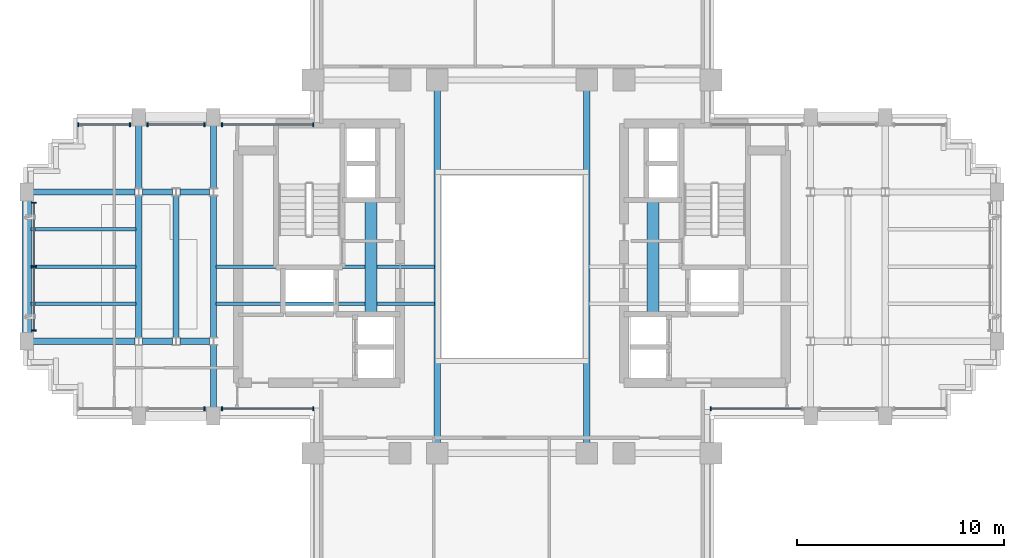
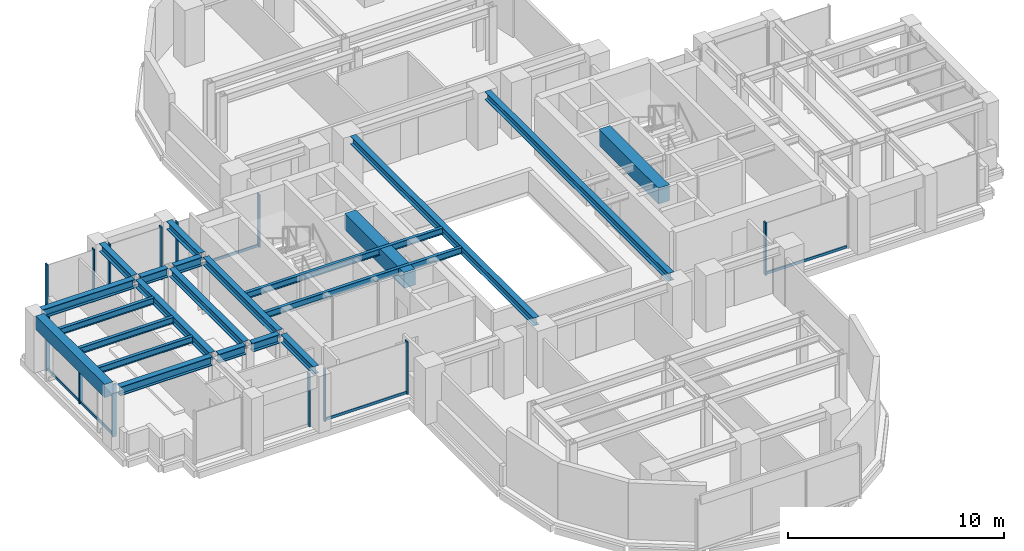
# One storey, part 4 of 13: 22 beams, 20 members, 7 elements without a shape of their own.
"""IFC4 building model written with IfcOpenShell, lengths in metres."""

from ifc_helpers import new_model, si_unit, direction, frame, origin, origin_2d, place, context, subcontext, project, spatial, rectangle, i_section, extrude, source, transform, mapped, material, material_profile, profile_set, type_object, element, aggregate, save


model = new_model("IFC4")

# Units and contexts
model_context = context("Model", 3, precision=1e-05, world=origin(), true_north=direction((0.0, 1.0)))
body_context = subcontext(model_context, "Body", "Model", "MODEL_VIEW")
ifc_project = project(units=[si_unit("LENGTHUNIT", "METRE"), si_unit("AREAUNIT", "SQUARE_METRE"), si_unit("VOLUMEUNIT", "CUBIC_METRE"), si_unit("PLANEANGLEUNIT", "RADIAN"), si_unit("MASSUNIT", "GRAM", prefix="KILO")], contexts=[model_context])

# Site, building, storey
site_placement = place(None, origin())
site = spatial("IfcSite", under=ifc_project, at=site_placement, CompositionType="ELEMENT")
building_placement = place(site_placement, origin())
building = spatial("IfcBuilding", under=site, at=building_placement, Name="Keilestroom Media Tower", CompositionType="ELEMENT")
storey_placement = place(building_placement, frame((0.0, 0.0, 141.39990234375)))
storey = spatial("IfcBuildingStorey", under=building, at=storey_placement, Name="L38", CompositionType="ELEMENT", Elevation=141.39990234375)

# Beams
ifc_material_1 = material(Name="Concrete C70/85", Category="concrete")
ifc_material_profile_1 = material_profile(ifc_material_1, rectangle(XDim=0.60009765625, YDim=0.89990234375, at=origin_2d()), Name="RC 600x900")
ifc_profile_set_1 = profile_set([ifc_material_profile_1], Name="Concrete C70/85")
beam_type_1 = type_object("IfcBeamType", Name="Core-Coupling-Lintel-Beam-RC-600x900", PredefinedType="LINTEL", material=ifc_profile_set_1)
shared_shape_1 = source(origin(), body_context, "Body", "SweptSolid", [
    extrude(rectangle(XDim=0.60009765625, YDim=0.89990234375, at=origin_2d()), origin(), (0.0, 0.0, 1.0), 5.52001953125),
])
for number, where, z_axis, x_axis, name in (
    (1, (-6.800048828125, -2.300048828125, 2.75), (0.0, 1.0, 0.0), (-1.0, 0.0, 0.0), "L38 Beam CLB-1 CLB-L38-W"),
    (2, (6.800048828125, -2.300048828125, 2.75), (0.0, 1.0, 0.0), (-1.0, 0.0, 0.0), "L38 Beam CLB-1 CLB-L38-E"),
):
    element("IfcBeam", number, at=place(storey_placement, frame(where, z_axis=z_axis, x_axis=x_axis)), inside=storey, type_object=beam_type_1, Name=name, PredefinedType="LINTEL", context=body_context, shape_type="MappedRepresentation", body=[
        mapped(shared_shape_1, transform((0.0, 0.0, 0.0), x_axis=(1.0, 0.0, 0.0), y_axis=(0.0, 1.0, 0.0), z_axis=(0.0, 0.0, 1.0), scale=1.0)),
    ])
ifc_material_2 = material(Name="Steel S355", Category="steel")
ifc_material_profile_2 = material_profile(ifc_material_2, i_section(OverallWidth=0.169921875, OverallDepth=0.360107421875, WebThickness=0.008056640625, FlangeThickness=0.0126953125, at=origin_2d()), Name="IPE 360")
ifc_profile_set_2 = profile_set([ifc_material_profile_2], Name="Steel S355")
beam_type_2 = type_object("IfcBeamType", Name="Secondary-Floor-Joist-IPE-360", PredefinedType="JOIST", material=ifc_profile_set_2)
shared_shape_2 = source(origin(), body_context, "Body", "SweptSolid", [
    extrude(i_section(OverallWidth=0.169921875, OverallDepth=0.360107421875, WebThickness=0.008056640625, FlangeThickness=0.0126953125, at=origin_2d()), origin(), (0.0, 0.0, 1.0), 10.5400390625),
])
for number, where, z_axis, x_axis, name in (
    (3, (-14.27001953125, -1.800048828125, 3.02001953125), (1.0, 0.0, 0.0), (0.0, 1.0, 0.0), "L38 Beam BJ-5 JST-L38-072"),
    (4, (-14.27001953125, 0.0, 3.02001953125), (1.0, 0.0, 0.0), (0.0, 1.0, 0.0), "L38 Beam BJ-5 JST-L38-077"),
):
    element("IfcBeam", number, at=place(storey_placement, frame(where, z_axis=z_axis, x_axis=x_axis)), inside=storey, type_object=beam_type_2, Name=name, PredefinedType="JOIST", context=body_context, shape_type="MappedRepresentation", body=[
        mapped(shared_shape_2, transform((0.0, 0.0, 0.0), x_axis=(1.0, 0.0, 0.0), y_axis=(0.0, 1.0, 0.0), z_axis=(0.0, 0.0, 1.0), scale=1.0)),
    ])
ifc_material_profile_3 = material_profile(ifc_material_2, i_section(OverallWidth=0.300048828125, OverallDepth=0.5, WebThickness=0.012451171875, FlangeThickness=0.028076171875, at=origin_2d()), Name="HEB 500")
ifc_profile_set_3 = profile_set([ifc_material_profile_3], Name="Steel S355")
beam_type_3 = type_object("IfcBeamType", Name="Primary-Structural-Girder-HEB-500", PredefinedType="BEAM", material=ifc_profile_set_3)
shared_shape_3 = source(origin(), body_context, "Body", "SweptSolid", [
    extrude(i_section(OverallWidth=0.300048828125, OverallDepth=0.5, WebThickness=0.012451171875, FlangeThickness=0.028076171875, at=origin_2d()), origin(), (0.0, 0.0, 1.0), 4.91455078125),
])
for number, where, z_axis, x_axis, name in (
    (5, (-23.094970703125, -3.60009765625, 2.9501953125), (1.0, 0.0, 0.0), (0.0, 1.0, 0.0), "L38 Beam BG-6 BM-L38-EW-014"),
    (6, (-23.094970703125, 3.60009765625, 2.9501953125), (1.0, 0.0, 0.0), (0.0, 1.0, 0.0), "L38 Beam BG-6 BM-L38-EW-020"),
):
    element("IfcBeam", number, at=place(storey_placement, frame(where, z_axis=z_axis, x_axis=x_axis)), inside=storey, type_object=beam_type_3, Name=name, PredefinedType="BEAM", context=body_context, shape_type="MappedRepresentation", body=[
        mapped(shared_shape_3, transform((0.0, 0.0, 0.0), x_axis=(1.0, 0.0, 0.0), y_axis=(0.0, 1.0, 0.0), z_axis=(0.0, 0.0, 1.0), scale=1.0)),
    ])
shared_shape_4 = source(origin(), body_context, "Body", "SweptSolid", [
    extrude(i_section(OverallWidth=0.300048828125, OverallDepth=0.5, WebThickness=0.012451171875, FlangeThickness=0.028076171875, at=origin_2d()), origin(), (0.0, 0.0, 1.0), 1.43896484375),
])
for number, where, z_axis, x_axis, name in (
    (7, (-17.819580078125, -3.60009765625, 2.9501953125), (1.0, 0.0, 0.0), (0.0, 1.0, 0.0), "L38 Beam BG-6 BM-L38-EW-015"),
    (8, (-16.01953125, -3.60009765625, 2.9501953125), (1.0, 0.0, 0.0), (0.0, 1.0, 0.0), "L38 Beam BG-6 BM-L38-EW-016"),
    (9, (-17.819580078125, 3.60009765625, 2.9501953125), (1.0, 0.0, 0.0), (0.0, 1.0, 0.0), "L38 Beam BG-6 BM-L38-EW-021"),
    (10, (-16.01953125, 3.60009765625, 2.9501953125), (1.0, 0.0, 0.0), (0.0, 1.0, 0.0), "L38 Beam BG-6 BM-L38-EW-022"),
):
    element("IfcBeam", number, at=place(storey_placement, frame(where, z_axis=z_axis, x_axis=x_axis)), inside=storey, type_object=beam_type_3, Name=name, PredefinedType="BEAM", context=body_context, shape_type="MappedRepresentation", body=[
        mapped(shared_shape_4, transform((0.0, 0.0, 0.0), x_axis=(1.0, 0.0, 0.0), y_axis=(0.0, 1.0, 0.0), z_axis=(0.0, 0.0, 1.0), scale=1.0)),
    ])
ifc_material_3 = material(Name="Precast concrete C40/50", Category="concrete")
ifc_material_profile_4 = material_profile(ifc_material_3, rectangle(XDim=0.449951171875, YDim=0.75, at=origin_2d()), Name="PC 450x750")
ifc_profile_set_4 = profile_set([ifc_material_profile_4], Name="Precast concrete C40/50")
beam_type_4 = type_object("IfcBeamType", Name="Perimeter-Spandrel-Beam-PC-450x750", PredefinedType="SPANDREL", material=ifc_profile_set_4)
shared_shape_5 = source(origin(), body_context, "Body", "SweptSolid", [
    extrude(rectangle(XDim=0.449951171875, YDim=0.75, at=origin_2d()), origin(), (0.0, 0.0, 1.0), 6.39013671875),
])
beam_placement = place(storey_placement, frame((-23.39990234375, -3.195068359375, 2.8251953125), z_axis=(0.0, 1.0, 0.0), x_axis=(-1.0, 0.0, 0.0)))
element("IfcBeam", 11, at=beam_placement, inside=storey, type_object=beam_type_4, Name="L38 Beam SPB-1 BM-L38-NS-039", PredefinedType="SPANDREL", context=body_context, shape_type="MappedRepresentation", body=[
    mapped(shared_shape_5, transform((0.0, 0.0, 0.0), x_axis=(1.0, 0.0, 0.0), y_axis=(0.0, 1.0, 0.0), z_axis=(0.0, 0.0, 1.0), scale=1.0)),
])
ifc_material_profile_5 = material_profile(ifc_material_2, i_section(OverallWidth=0.300048828125, OverallDepth=0.449951171875, WebThickness=0.011962890625, FlangeThickness=0.02587890625, at=origin_2d()), Name="HEB 450")
ifc_profile_set_5 = profile_set([ifc_material_profile_5], Name="Steel S355")
beam_type_5 = type_object("IfcBeamType", Name="Primary-Structural-Girder-HEB-450", PredefinedType="BEAM", material=ifc_profile_set_5)
shared_shape_6 = source(origin(), body_context, "Body", "SweptSolid", [
    extrude(i_section(OverallWidth=0.300048828125, OverallDepth=0.449951171875, WebThickness=0.011962890625, FlangeThickness=0.02587890625, at=origin_2d()), origin(), (0.0, 0.0, 1.0), 3.015380859375),
])
for number, where, z_axis, x_axis, name in (
    (12, (-18.0, 3.779541015625, 2.97509765625), (0.0, 1.0, 0.0), (-1.0, 0.0, 0.0), "L38 Beam BG-7 BM-L38-NS-042"),
    (13, (-14.39990234375, -6.794921875, 2.97509765625), (0.0, 1.0, 0.0), (-1.0, 0.0, 0.0), "L38 Beam BG-7 BM-L38-NS-044"),
    (14, (-14.39990234375, 3.779541015625, 2.97509765625), (0.0, 1.0, 0.0), (-1.0, 0.0, 0.0), "L38 Beam BG-7 BM-L38-NS-046"),
):
    element("IfcBeam", number, at=place(storey_placement, frame(where, z_axis=z_axis, x_axis=x_axis)), inside=storey, type_object=beam_type_5, Name=name, PredefinedType="BEAM", context=body_context, shape_type="MappedRepresentation", body=[
        mapped(shared_shape_6, transform((0.0, 0.0, 0.0), x_axis=(1.0, 0.0, 0.0), y_axis=(0.0, 1.0, 0.0), z_axis=(0.0, 0.0, 1.0), scale=1.0)),
    ])
shared_shape_7 = source(origin(), body_context, "Body", "SweptSolid", [
    extrude(i_section(OverallWidth=0.300048828125, OverallDepth=0.449951171875, WebThickness=0.011962890625, FlangeThickness=0.02587890625, at=origin_2d()), origin(), (0.0, 0.0, 1.0), 6.8408203125),
])
for number, where, z_axis, x_axis, name in (
    (15, (-18.0, -3.42041015625, 2.97509765625), (0.0, 1.0, 0.0), (-1.0, 0.0, 0.0), "L38 Beam BG-7 BM-L38-NS-041"),
    (16, (-16.199951171875, -3.42041015625, 2.97509765625), (0.0, 1.0, 0.0), (-1.0, 0.0, 0.0), "L38 Beam BG-7 BM-L38-NS-043"),
    (17, (-14.39990234375, -3.42041015625, 2.97509765625), (0.0, 1.0, 0.0), (-1.0, 0.0, 0.0), "L38 Beam BG-7 BM-L38-NS-045"),
):
    element("IfcBeam", number, at=place(storey_placement, frame(where, z_axis=z_axis, x_axis=x_axis)), inside=storey, type_object=beam_type_5, Name=name, PredefinedType="BEAM", context=body_context, shape_type="MappedRepresentation", body=[
        mapped(shared_shape_7, transform((0.0, 0.0, 0.0), x_axis=(1.0, 0.0, 0.0), y_axis=(0.0, 1.0, 0.0), z_axis=(0.0, 0.0, 1.0), scale=1.0)),
    ])
shared_shape_8 = source(origin(), body_context, "Body", "SweptSolid", [
    extrude(i_section(OverallWidth=0.300048828125, OverallDepth=0.449951171875, WebThickness=0.011962890625, FlangeThickness=0.02587890625, at=origin_2d()), origin(), (0.0, 0.0, 1.0), 16.990234375),
])
for number, where, z_axis, x_axis, name in (
    (18, (-3.60009765625, -8.4951171875, 2.97509765625), (0.0, 1.0, 0.0), (-1.0, 0.0, 0.0), "L38 Beam BG-7 BM-L38-NS-051"),
    (19, (3.60009765625, -8.4951171875, 2.97509765625), (0.0, 1.0, 0.0), (-1.0, 0.0, 0.0), "L38 Beam BG-7 BM-L38-NS-056"),
):
    element("IfcBeam", number, at=place(storey_placement, frame(where, z_axis=z_axis, x_axis=x_axis)), inside=storey, type_object=beam_type_5, Name=name, PredefinedType="BEAM", context=body_context, shape_type="MappedRepresentation", body=[
        mapped(shared_shape_8, transform((0.0, 0.0, 0.0), x_axis=(1.0, 0.0, 0.0), y_axis=(0.0, 1.0, 0.0), z_axis=(0.0, 0.0, 1.0), scale=1.0)),
    ])
shared_shape_9 = source(origin(), body_context, "Body", "SweptSolid", [
    extrude(i_section(OverallWidth=0.169921875, OverallDepth=0.360107421875, WebThickness=0.008056640625, FlangeThickness=0.0126953125, at=origin_2d()), origin(), (0.0, 0.0, 1.0), 5.065185546875),
])
for number, where, z_axis, x_axis, name in (
    (20, (-23.195068359375, -1.800048828125, 3.02001953125), (1.0, 0.0, 0.0), (0.0, 1.0, 0.0), "L38 Beam BJ-5 JST-L38-071"),
    (21, (-23.195068359375, 0.0, 3.02001953125), (1.0, 0.0, 0.0), (0.0, 1.0, 0.0), "L38 Beam BJ-5 JST-L38-076"),
    (22, (-23.195068359375, 1.800048828125, 3.02001953125), (1.0, 0.0, 0.0), (0.0, 1.0, 0.0), "L38 Beam BJ-5 JST-L38-081"),
):
    element("IfcBeam", number, at=place(storey_placement, frame(where, z_axis=z_axis, x_axis=x_axis)), inside=storey, type_object=beam_type_2, Name=name, PredefinedType="JOIST", context=body_context, shape_type="MappedRepresentation", body=[
        mapped(shared_shape_9, transform((0.0, 0.0, 0.0), x_axis=(1.0, 0.0, 0.0), y_axis=(0.0, 1.0, 0.0), z_axis=(0.0, 0.0, 1.0), scale=1.0)),
    ])

# Curtain wall, members
ifc_material_4 = material(Name="Anodised Aluminium Alloy", Category="aluminium")
curtain_wall_type = type_object("IfcCurtainWallType", Name="Unitised-Curtain-Wall-CW-2", PredefinedType="NOTDEFINED", material=ifc_material_4)
curtain_wall_1_placement = place(storey_placement, origin())
curtain_wall_1 = element("IfcCurtainWall", 23, at=curtain_wall_1_placement, inside=storey, type_object=curtain_wall_type, Name="L38 Curtain Wall CW-2 CW-L38-W-1", PredefinedType="NOTDEFINED")
ifc_material_profile_6 = material_profile(ifc_material_4, rectangle(XDim=0.070068359375, YDim=0.199951171875, at=origin_2d()), Name="ALU MULLION 70x200")
ifc_profile_set_6 = profile_set([ifc_material_profile_6], Name="Anodised Aluminium Alloy")
member_type_1 = type_object("IfcMemberType", Name="Curtain-Wall-Mullion-CW-2", PredefinedType="MULLION", material=ifc_profile_set_6)
shared_shape_10 = source(origin(), body_context, "Body", "SweptSolid", [
    extrude(rectangle(XDim=0.070068359375, YDim=0.199951171875, at=origin_2d()), origin(), (0.0, 0.0, 1.0), 2.97998046875),
])
member_1_placement = place(storey_placement, frame((-23.050048828125, -3.080078125, 0.0), z_axis=(0.0, 0.0, 1.0), x_axis=(0.0, 1.0, 0.0)))
member_1 = element("IfcMember", 24, at=member_1_placement, type_object=member_type_1, Name="CW-2 Mullion 00", PredefinedType="MULLION", context=body_context, shape_type="MappedRepresentation", body=[
    mapped(shared_shape_10, transform((0.0, 0.0, 0.0), x_axis=(1.0, 0.0, 0.0), y_axis=(0.0, 1.0, 0.0), z_axis=(0.0, 0.0, 1.0), scale=1.0)),
])
member_2_placement = place(storey_placement, frame((-23.050048828125, 0.0, 0.0), z_axis=(0.0, 0.0, 1.0), x_axis=(0.0, 1.0, 0.0)))
member_2 = element("IfcMember", 25, at=member_2_placement, type_object=member_type_1, Name="CW-2 Mullion 01", PredefinedType="MULLION", context=body_context, shape_type="MappedRepresentation", body=[
    mapped(shared_shape_10, transform((0.0, 0.0, 0.0), x_axis=(1.0, 0.0, 0.0), y_axis=(0.0, 1.0, 0.0), z_axis=(0.0, 0.0, 1.0), scale=1.0)),
])
member_3_placement = place(storey_placement, frame((-23.050048828125, 3.080078125, 0.0), z_axis=(0.0, 0.0, 1.0), x_axis=(0.0, 1.0, 0.0)))
member_3 = element("IfcMember", 26, at=member_3_placement, type_object=member_type_1, Name="CW-2 Mullion 02", PredefinedType="MULLION", context=body_context, shape_type="MappedRepresentation", body=[
    mapped(shared_shape_10, transform((0.0, 0.0, 0.0), x_axis=(1.0, 0.0, 0.0), y_axis=(0.0, 1.0, 0.0), z_axis=(0.0, 0.0, 1.0), scale=1.0)),
])

curtain_wall_2_placement = place(storey_placement, origin())
curtain_wall_2 = element("IfcCurtainWall", 27, at=curtain_wall_2_placement, inside=storey, type_object=curtain_wall_type, Name="L38 Curtain Wall CW-2 CW-L38-NW-1", PredefinedType="NOTDEFINED")
member_4_placement = place(storey_placement, frame((-20.9150390625, 6.85009765625, 0.0), z_axis=(0.0, 0.0, 1.0), x_axis=(1.0, 0.0, 0.0)))
member_4 = element("IfcMember", 28, at=member_4_placement, type_object=member_type_1, Name="CW-2 Mullion 00", PredefinedType="MULLION", context=body_context, shape_type="MappedRepresentation", body=[
    mapped(shared_shape_10, transform((0.0, 0.0, 0.0), x_axis=(1.0, 0.0, 0.0), y_axis=(0.0, 1.0, 0.0), z_axis=(0.0, 0.0, 1.0), scale=1.0)),
])
member_5_placement = place(storey_placement, frame((-18.419921875, 6.85009765625, 0.0), z_axis=(0.0, 0.0, 1.0), x_axis=(1.0, 0.0, 0.0)))
member_5 = element("IfcMember", 29, at=member_5_placement, type_object=member_type_1, Name="CW-2 Mullion 01", PredefinedType="MULLION", context=body_context, shape_type="MappedRepresentation", body=[
    mapped(shared_shape_10, transform((0.0, 0.0, 0.0), x_axis=(1.0, 0.0, 0.0), y_axis=(0.0, 1.0, 0.0), z_axis=(0.0, 0.0, 1.0), scale=1.0)),
])

curtain_wall_3_placement = place(storey_placement, origin())
curtain_wall_3 = element("IfcCurtainWall", 30, at=curtain_wall_3_placement, inside=storey, type_object=curtain_wall_type, Name="L38 Curtain Wall CW-2 CW-L38-NW-2", PredefinedType="NOTDEFINED")
member_6_placement = place(storey_placement, frame((-17.580078125, 6.85009765625, 0.0), z_axis=(0.0, 0.0, 1.0), x_axis=(1.0, 0.0, 0.0)))
member_6 = element("IfcMember", 31, at=member_6_placement, type_object=member_type_1, Name="CW-2 Mullion 00", PredefinedType="MULLION", context=body_context, shape_type="MappedRepresentation", body=[
    mapped(shared_shape_10, transform((0.0, 0.0, 0.0), x_axis=(1.0, 0.0, 0.0), y_axis=(0.0, 1.0, 0.0), z_axis=(0.0, 0.0, 1.0), scale=1.0)),
])
member_7_placement = place(storey_placement, frame((-14.820068359375, 6.85009765625, 0.0), z_axis=(0.0, 0.0, 1.0), x_axis=(1.0, 0.0, 0.0)))
member_7 = element("IfcMember", 32, at=member_7_placement, type_object=member_type_1, Name="CW-2 Mullion 01", PredefinedType="MULLION", context=body_context, shape_type="MappedRepresentation", body=[
    mapped(shared_shape_10, transform((0.0, 0.0, 0.0), x_axis=(1.0, 0.0, 0.0), y_axis=(0.0, 1.0, 0.0), z_axis=(0.0, 0.0, 1.0), scale=1.0)),
])

curtain_wall_4_placement = place(storey_placement, origin())
curtain_wall_4 = element("IfcCurtainWall", 33, at=curtain_wall_4_placement, inside=storey, type_object=curtain_wall_type, Name="L38 Curtain Wall CW-2 CW-L38-NW-3", PredefinedType="NOTDEFINED")
member_8_placement = place(storey_placement, frame((-13.97998046875, 6.85009765625, 0.0), z_axis=(0.0, 0.0, 1.0), x_axis=(1.0, 0.0, 0.0)))
member_8 = element("IfcMember", 34, at=member_8_placement, type_object=member_type_1, Name="CW-2 Mullion 00", PredefinedType="MULLION", context=body_context, shape_type="MappedRepresentation", body=[
    mapped(shared_shape_10, transform((0.0, 0.0, 0.0), x_axis=(1.0, 0.0, 0.0), y_axis=(0.0, 1.0, 0.0), z_axis=(0.0, 0.0, 1.0), scale=1.0)),
])
member_9_placement = place(storey_placement, frame((-9.5849609375, 6.85009765625, 0.0), z_axis=(0.0, 0.0, 1.0), x_axis=(1.0, 0.0, 0.0)))
member_9 = element("IfcMember", 35, at=member_9_placement, type_object=member_type_1, Name="CW-2 Mullion 01", PredefinedType="MULLION", context=body_context, shape_type="MappedRepresentation", body=[
    mapped(shared_shape_10, transform((0.0, 0.0, 0.0), x_axis=(1.0, 0.0, 0.0), y_axis=(0.0, 1.0, 0.0), z_axis=(0.0, 0.0, 1.0), scale=1.0)),
])

# Curtain wall, member
curtain_wall_5_placement = place(storey_placement, origin())
curtain_wall_5 = element("IfcCurtainWall", 36, at=curtain_wall_5_placement, inside=storey, type_object=curtain_wall_type, Name="L38 Curtain Wall CW-2 CW-L38-SW-2", PredefinedType="NOTDEFINED")
member_10_placement = place(storey_placement, frame((-14.820068359375, -6.85009765625, 0.0), z_axis=(0.0, 0.0, 1.0), x_axis=(1.0, 0.0, 0.0)))
member_10 = element("IfcMember", 37, at=member_10_placement, type_object=member_type_1, Name="CW-2 Mullion 01", PredefinedType="MULLION", context=body_context, shape_type="MappedRepresentation", body=[
    mapped(shared_shape_10, transform((0.0, 0.0, 0.0), x_axis=(1.0, 0.0, 0.0), y_axis=(0.0, 1.0, 0.0), z_axis=(0.0, 0.0, 1.0), scale=1.0)),
])
aggregate(curtain_wall_5, [member_10])

# Curtain wall, members
curtain_wall_6_placement = place(storey_placement, origin())
curtain_wall_6 = element("IfcCurtainWall", 38, at=curtain_wall_6_placement, inside=storey, type_object=curtain_wall_type, Name="L38 Curtain Wall CW-2 CW-L38-SW-3", PredefinedType="NOTDEFINED")
member_11_placement = place(storey_placement, frame((-13.97998046875, -6.85009765625, 0.0), z_axis=(0.0, 0.0, 1.0), x_axis=(1.0, 0.0, 0.0)))
member_11 = element("IfcMember", 39, at=member_11_placement, type_object=member_type_1, Name="CW-2 Mullion 00", PredefinedType="MULLION", context=body_context, shape_type="MappedRepresentation", body=[
    mapped(shared_shape_10, transform((0.0, 0.0, 0.0), x_axis=(1.0, 0.0, 0.0), y_axis=(0.0, 1.0, 0.0), z_axis=(0.0, 0.0, 1.0), scale=1.0)),
])
member_12_placement = place(storey_placement, frame((-9.5849609375, -6.85009765625, 0.0), z_axis=(0.0, 0.0, 1.0), x_axis=(1.0, 0.0, 0.0)))
member_12 = element("IfcMember", 40, at=member_12_placement, type_object=member_type_1, Name="CW-2 Mullion 01", PredefinedType="MULLION", context=body_context, shape_type="MappedRepresentation", body=[
    mapped(shared_shape_10, transform((0.0, 0.0, 0.0), x_axis=(1.0, 0.0, 0.0), y_axis=(0.0, 1.0, 0.0), z_axis=(0.0, 0.0, 1.0), scale=1.0)),
])

# Curtain wall, member
curtain_wall_7_placement = place(storey_placement, origin())
curtain_wall_7 = element("IfcCurtainWall", 41, at=curtain_wall_7_placement, inside=storey, type_object=curtain_wall_type, Name="L38 Curtain Wall CW-2 CW-L38-SE-1", PredefinedType="NOTDEFINED")
member_13_placement = place(storey_placement, frame((9.5849609375, -6.85009765625, 0.0), z_axis=(0.0, 0.0, 1.0), x_axis=(1.0, 0.0, 0.0)))
member_13 = element("IfcMember", 42, at=member_13_placement, type_object=member_type_1, Name="CW-2 Mullion 00", PredefinedType="MULLION", context=body_context, shape_type="MappedRepresentation", body=[
    mapped(shared_shape_10, transform((0.0, 0.0, 0.0), x_axis=(1.0, 0.0, 0.0), y_axis=(0.0, 1.0, 0.0), z_axis=(0.0, 0.0, 1.0), scale=1.0)),
])

# Member
ifc_material_profile_7 = material_profile(ifc_material_4, rectangle(XDim=0.06494140625, YDim=0.14990234375, at=origin_2d()), Name="ALU TRANSOM 65x150")
ifc_profile_set_7 = profile_set([ifc_material_profile_7], Name="Anodised Aluminium Alloy")
member_type_2 = type_object("IfcMemberType", Name="Curtain-Wall-Transom-CW-2", PredefinedType="USERDEFINED", material=ifc_profile_set_7)
shared_shape_11 = source(origin(), body_context, "Body", "SweptSolid", [
    extrude(rectangle(XDim=0.06494140625, YDim=0.14990234375, at=origin_2d()), origin(), (0.0, 0.0, 1.0), 2.42919921875),
])
member_14_placement = place(storey_placement, frame((-20.882080078125, 6.85009765625, 0.0751953125), z_axis=(1.0, 0.0, 0.0), x_axis=(0.0, 1.0, 0.0)))
member_14 = element("IfcMember", 43, at=member_14_placement, type_object=member_type_2, Name="CW-2 Transom 00.1", ObjectType="TRANSOM", PredefinedType="USERDEFINED", context=body_context, shape_type="MappedRepresentation", body=[
    mapped(shared_shape_11, transform((0.0, 0.0, 0.0), x_axis=(1.0, 0.0, 0.0), y_axis=(0.0, 1.0, 0.0), z_axis=(0.0, 0.0, 1.0), scale=1.0)),
])

aggregate(curtain_wall_2, [member_4, member_5, member_14])

shared_shape_12 = source(origin(), body_context, "Body", "SweptSolid", [
    extrude(rectangle(XDim=0.06494140625, YDim=0.14990234375, at=origin_2d()), origin(), (0.0, 0.0, 1.0), 2.694091796875),
])
member_15_placement = place(storey_placement, frame((-17.547119140625, 6.85009765625, 0.0751953125), z_axis=(1.0, 0.0, 0.0), x_axis=(0.0, 1.0, 0.0)))
member_15 = element("IfcMember", 44, at=member_15_placement, type_object=member_type_2, Name="CW-2 Transom 00.1", ObjectType="TRANSOM", PredefinedType="USERDEFINED", context=body_context, shape_type="MappedRepresentation", body=[
    mapped(shared_shape_12, transform((0.0, 0.0, 0.0), x_axis=(1.0, 0.0, 0.0), y_axis=(0.0, 1.0, 0.0), z_axis=(0.0, 0.0, 1.0), scale=1.0)),
])

aggregate(curtain_wall_3, [member_6, member_7, member_15])

shared_shape_13 = source(origin(), body_context, "Body", "SweptSolid", [
    extrude(rectangle(XDim=0.06494140625, YDim=0.14990234375, at=origin_2d()), origin(), (0.0, 0.0, 1.0), 4.3291015625),
])
member_16_placement = place(storey_placement, frame((-13.947021484375, 6.85009765625, 0.0751953125), z_axis=(1.0, 0.0, 0.0), x_axis=(0.0, 1.0, 0.0)))
member_16 = element("IfcMember", 45, at=member_16_placement, type_object=member_type_2, Name="CW-2 Transom 00.1", ObjectType="TRANSOM", PredefinedType="USERDEFINED", context=body_context, shape_type="MappedRepresentation", body=[
    mapped(shared_shape_13, transform((0.0, 0.0, 0.0), x_axis=(1.0, 0.0, 0.0), y_axis=(0.0, 1.0, 0.0), z_axis=(0.0, 0.0, 1.0), scale=1.0)),
])

aggregate(curtain_wall_4, [member_8, member_9, member_16])

member_17_placement = place(storey_placement, frame((-13.947021484375, -6.85009765625, 0.0751953125), z_axis=(1.0, 0.0, 0.0), x_axis=(0.0, 1.0, 0.0)))
member_17 = element("IfcMember", 46, at=member_17_placement, type_object=member_type_2, Name="CW-2 Transom 00.1", ObjectType="TRANSOM", PredefinedType="USERDEFINED", context=body_context, shape_type="MappedRepresentation", body=[
    mapped(shared_shape_13, transform((0.0, 0.0, 0.0), x_axis=(1.0, 0.0, 0.0), y_axis=(0.0, 1.0, 0.0), z_axis=(0.0, 0.0, 1.0), scale=1.0)),
])

aggregate(curtain_wall_6, [member_11, member_12, member_17])

member_18_placement = place(storey_placement, frame((9.617919921875, -6.85009765625, 0.0751953125), z_axis=(1.0, 0.0, 0.0), x_axis=(0.0, 1.0, 0.0)))
member_18 = element("IfcMember", 47, at=member_18_placement, type_object=member_type_2, Name="CW-2 Transom 00.1", ObjectType="TRANSOM", PredefinedType="USERDEFINED", context=body_context, shape_type="MappedRepresentation", body=[
    mapped(shared_shape_13, transform((0.0, 0.0, 0.0), x_axis=(1.0, 0.0, 0.0), y_axis=(0.0, 1.0, 0.0), z_axis=(0.0, 0.0, 1.0), scale=1.0)),
])

aggregate(curtain_wall_7, [member_13, member_18])

shared_shape_14 = source(origin(), body_context, "Body", "SweptSolid", [
    extrude(rectangle(XDim=0.06494140625, YDim=0.14990234375, at=origin_2d()), origin(), (0.0, 0.0, 1.0), 3.01416015625),
])
member_19_placement = place(storey_placement, frame((-23.050048828125, -3.047119140625, 0.0751953125), z_axis=(0.0, 1.0, 0.0), x_axis=(-1.0, 0.0, 0.0)))
member_19 = element("IfcMember", 48, at=member_19_placement, type_object=member_type_2, Name="CW-2 Transom 00.1", ObjectType="TRANSOM", PredefinedType="USERDEFINED", context=body_context, shape_type="MappedRepresentation", body=[
    mapped(shared_shape_14, transform((0.0, 0.0, 0.0), x_axis=(1.0, 0.0, 0.0), y_axis=(0.0, 1.0, 0.0), z_axis=(0.0, 0.0, 1.0), scale=1.0)),
])

member_20_placement = place(storey_placement, frame((-23.050048828125, 0.032958984375, 0.0751953125), z_axis=(0.0, 1.0, 0.0), x_axis=(-1.0, 0.0, 0.0)))
member_20 = element("IfcMember", 49, at=member_20_placement, type_object=member_type_2, Name="CW-2 Transom 01.1", ObjectType="TRANSOM", PredefinedType="USERDEFINED", context=body_context, shape_type="MappedRepresentation", body=[
    mapped(shared_shape_14, transform((0.0, 0.0, 0.0), x_axis=(1.0, 0.0, 0.0), y_axis=(0.0, 1.0, 0.0), z_axis=(0.0, 0.0, 1.0), scale=1.0)),
])

aggregate(curtain_wall_1, [member_1, member_2, member_3, member_19, member_20])

save(model, "model.ifc")
